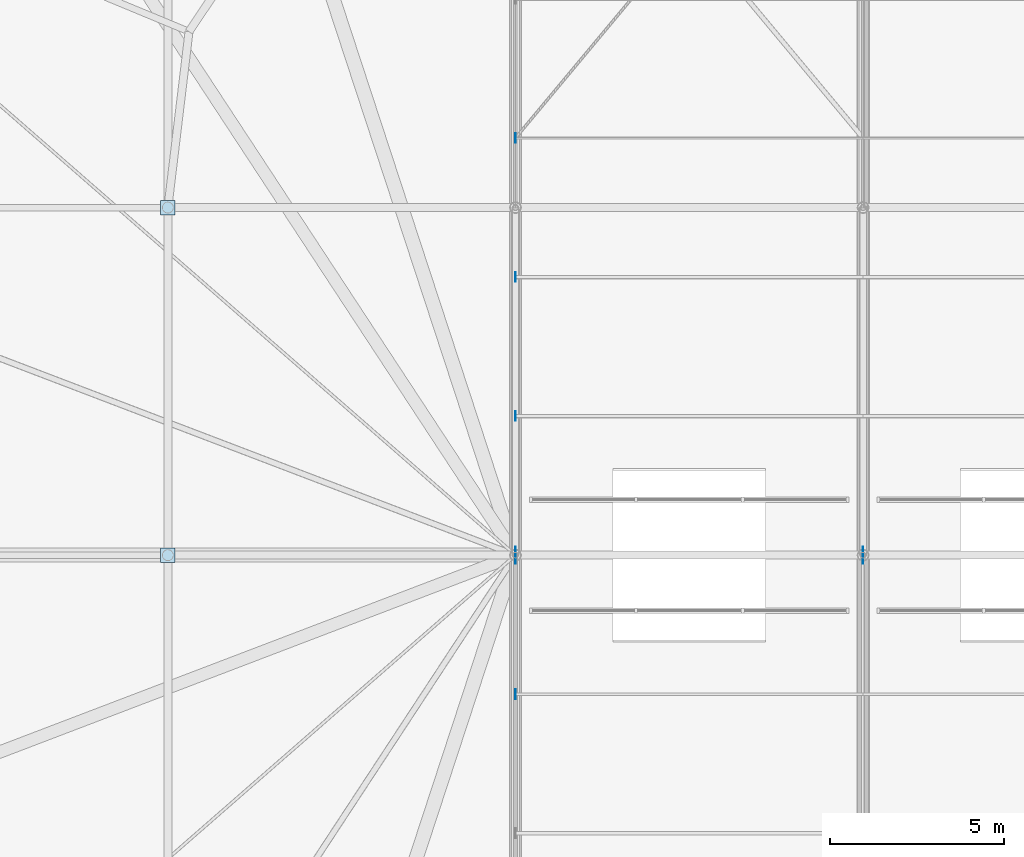
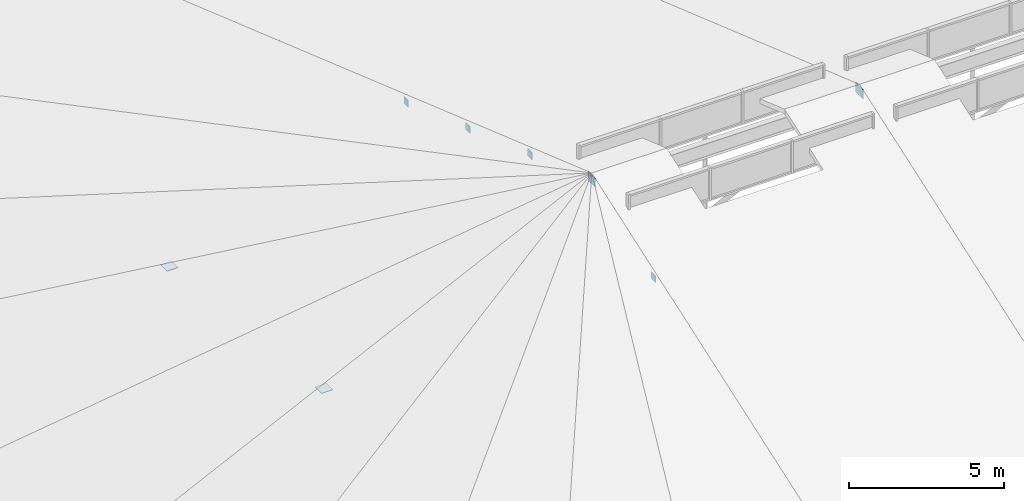
# One storey, part 86 of 93: 8 plates.
"""IFC4 building model written with IfcOpenShell, lengths in metres."""

from ifc_helpers import new_model, si_unit, derived_unit, direction, frame, origin, origin_2d_with_axis, place, context, subcontext, project, spatial, rectangle, extrude, material, layer, layer_set, type_object, element, save


model = new_model("IFC4")

# Units and contexts
model_context = context("Model", 3, precision=1e-05, world=origin(), true_north=direction((0.0, 1.0)))
body_context = subcontext(model_context, "Body", "Model", "MODEL_VIEW")
ifc_project = project(units=[si_unit("LENGTHUNIT", "METRE"), si_unit("AREAUNIT", "SQUARE_METRE"), si_unit("VOLUMEUNIT", "CUBIC_METRE"), si_unit("PLANEANGLEUNIT", "RADIAN"), si_unit("MASSUNIT", "GRAM", prefix="KILO"), derived_unit("THERMALTRANSMITTANCEUNIT", [(si_unit("POWERUNIT", "WATT"), 1), (si_unit("LENGTHUNIT", "METRE"), -2), (si_unit("THERMODYNAMICTEMPERATUREUNIT", "KELVIN"), -1)])], contexts=[model_context])

# Site, building, storey
site_placement = place(None, origin())
site = spatial("IfcSite", under=ifc_project, at=site_placement, CompositionType="ELEMENT")
building_placement = place(site_placement, origin())
building = spatial("IfcBuilding", under=site, at=building_placement, Name="Cinnabar Yard Market Hall", CompositionType="ELEMENT")
storey_placement = place(building_placement, frame((0.0, 0.0, 23.800048828125)))
storey = spatial("IfcBuildingStorey", under=building, at=storey_placement, Name="ROOF", CompositionType="ELEMENT", Elevation=23.800048828125)

# Plates
ifc_material = material(Name="Steel Grade 350 (350 MPa)", Category="steel")
ifc_layer_1 = layer(ifc_material, 0.360107421875)
ifc_layer_set_1 = layer_set([ifc_layer_1], Name="Steel Grade 350 (350 MPa)")
plate_type_1 = type_object("IfcPlateType", Name="PL-NP14", PredefinedType="SHEET", material=ifc_layer_set_1)
for number, where, z_axis, x_axis, name in (
    (1, (86.0, 44.0, 3.02001953125), (0.0, 0.0, 1.0), (1.0, 0.0, 0.0), "Truss Node Gusset 86-3"),
    (2, (96.0, 44.0, 3.02001953125), (0.0, 0.0, 1.0), (1.0, 0.0, 0.0), "Truss Node Gusset 96-3"),
):
    element("IfcPlate", number, at=place(storey_placement, frame(where, z_axis=z_axis, x_axis=x_axis)), inside=storey, type_object=plate_type_1, Name=name, PredefinedType="SHEET", context=body_context, shape_type="SweptSolid", body=[
        extrude(rectangle(XDim=0.02001953125, YDim=0.47998046875, at=origin_2d_with_axis()), origin(), (0.0, 0.0, 1.0), 0.360107421875),
    ])
ifc_layer_2 = layer(ifc_material, 0.02392578125)
ifc_layer_set_2 = layer_set([ifc_layer_2], Name="Steel Grade 350 (350 MPa)")
plate_type_2 = type_object("IfcPlateType", Name="PL-NP16", PredefinedType="SHEET", material=ifc_layer_set_2)
for number, where, z_axis, x_axis, name in (
    (3, (76.0, 44.0, -1.572021484375), (0.0, 0.0, 1.0), (1.0, 0.0, 0.0), "Hollow Member Cap Plate 06"),
    (4, (76.0, 54.0, -2.81201171875), (0.0, 0.0, 1.0), (1.0, 0.0, 0.0), "Hollow Member Cap Plate 07"),
):
    element("IfcPlate", number, at=place(storey_placement, frame(where, z_axis=z_axis, x_axis=x_axis)), inside=storey, type_object=plate_type_2, Name=name, PredefinedType="SHEET", context=body_context, shape_type="SweptSolid", body=[
        extrude(rectangle(XDim=0.419921875, YDim=0.419921875, at=origin_2d_with_axis()), origin(), (0.0, 0.0, 1.0), 0.02392578125),
    ])
ifc_layer_3 = layer(ifc_material, 0.280029296875)
ifc_layer_set_3 = layer_set([ifc_layer_3], Name="Steel Grade 350 (350 MPa)")
plate_type_3 = type_object("IfcPlateType", Name="PL-NP17", PredefinedType="SHEET", material=ifc_layer_set_3)
for number, where, z_axis, x_axis, name in (
    (5, (86.0, 40.0, 1.62744140625), (0.0, 0.0, 1.0), (1.0, 0.0, 0.0), "Purlin End Cap Y40 W"),
    (6, (86.0, 48.0, 1.62744140625), (0.0, 0.0, 1.0), (1.0, 0.0, 0.0), "Purlin End Cap Y48 W"),
    (7, (86.0, 52.0, 0.2353515625), (0.0, 0.0, 1.0), (1.0, 0.0, 0.0), "Purlin End Cap Y52 W"),
    (8, (86.0, 56.0, -1.15673828125), (0.0, 0.0, 1.0), (1.0, 0.0, 0.0), "Purlin End Cap Y56 W"),
):
    element("IfcPlate", number, at=place(storey_placement, frame(where, z_axis=z_axis, x_axis=x_axis)), inside=storey, type_object=plate_type_3, Name=name, PredefinedType="SHEET", context=body_context, shape_type="SweptSolid", body=[
        extrude(rectangle(XDim=0.02001953125, YDim=0.280029296875, at=origin_2d_with_axis()), origin(), (0.0, 0.0, 1.0), 0.280029296875),
    ])

save(model, "model.ifc")
